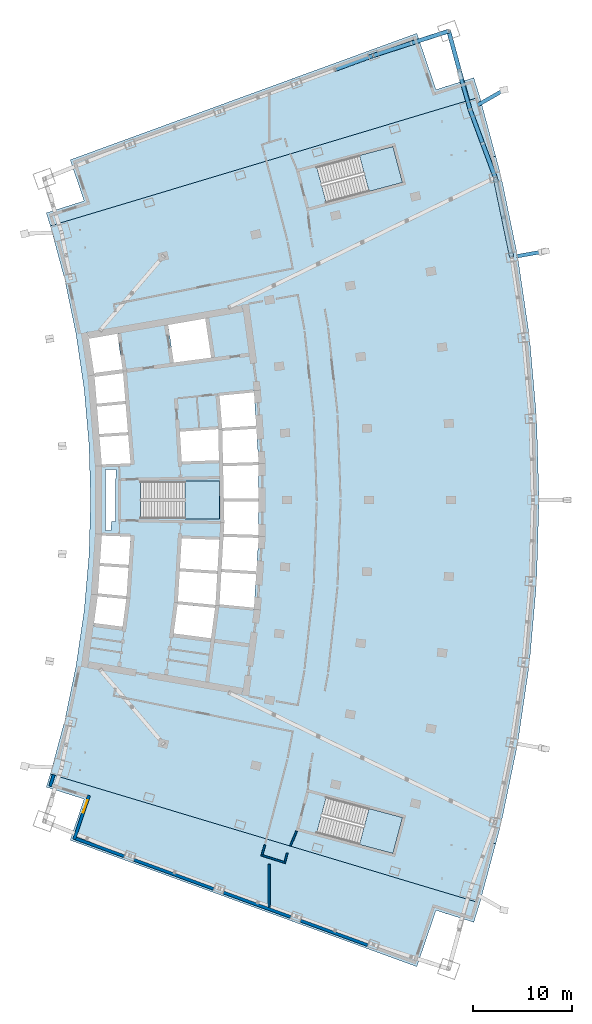
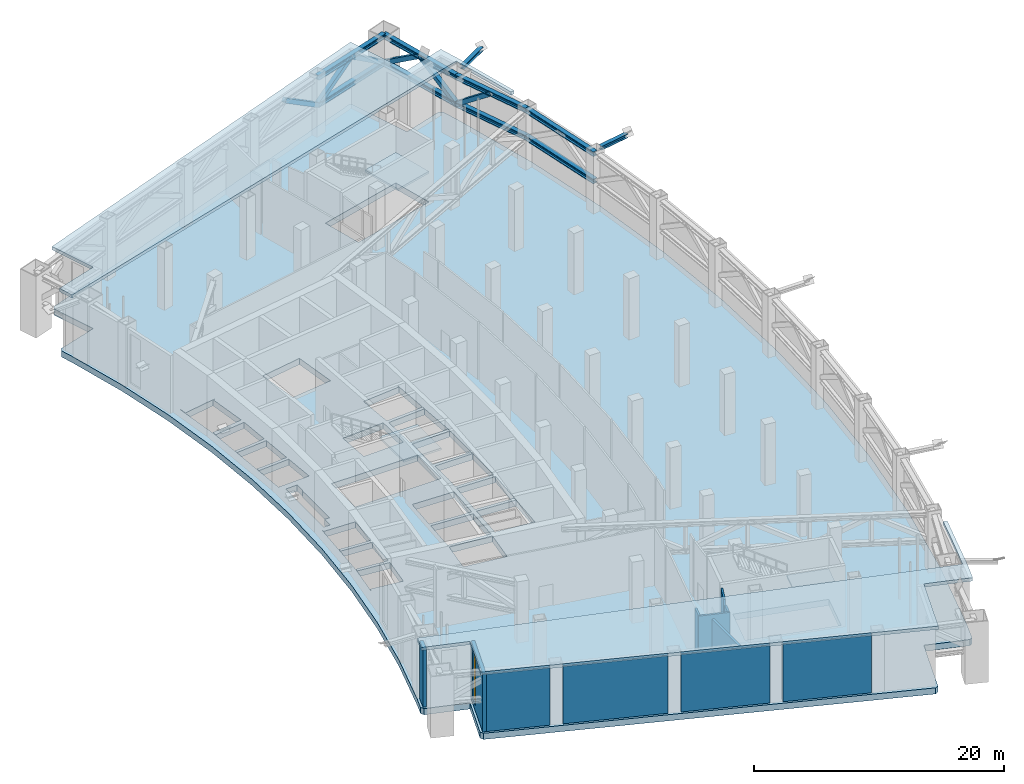
# One storey, part 15 of 26: 17 members, 11 walls, 6 slabs, 1 window, 1 opening, 3 elements without a shape of their own.
"""IFC4 building model written with IfcOpenShell, lengths in metres."""

from ifc_helpers import new_model, si_unit, direction, frame, frame_2d, origin, origin_2d, place, context, subcontext, project, spatial, polyline, rectangle, hollow_rectangle, i_section, outline, extrude, material, layer, layer_set, material_profile, profile_set, type_object, element, fill, aggregate, save


model = new_model("IFC4")

# Units and contexts
model_context = context("Model", 3, precision=1e-05, world=origin(), true_north=direction((0.0, 1.0)))
body_context = subcontext(model_context, "Body", "Model", "MODEL_VIEW")
ifc_project = project(units=[si_unit("LENGTHUNIT", "METRE"), si_unit("AREAUNIT", "SQUARE_METRE"), si_unit("VOLUMEUNIT", "CUBIC_METRE"), si_unit("PLANEANGLEUNIT", "RADIAN"), si_unit("MASSUNIT", "GRAM", prefix="KILO")], contexts=[model_context])

# Site, building, storey
site_placement = place(None, origin())
site = spatial("IfcSite", under=ifc_project, at=site_placement, CompositionType="ELEMENT")
building_placement = place(site_placement, origin())
building = spatial("IfcBuilding", under=site, at=building_placement, Name="Alderwake Tower", CompositionType="ELEMENT")
storey_placement = place(building_placement, frame((0.0, 0.0, 132.800048828125)))
storey = spatial("IfcBuildingStorey", under=building, at=storey_placement, Name="L32", CompositionType="ELEMENT", Elevation=132.800048828125)

# Members
ifc_material_1 = material(Name="Steel ASTM A992 Grade 50", Category="steel")
ifc_material_profile_1 = material_profile(ifc_material_1, i_section(OverallWidth=0.42138671875, OverallDepth=0.464599609375, WebThickness=0.044921875, FlangeThickness=0.072265625, at=origin_2d()), Name="W14X398")
ifc_profile_set_1 = profile_set([ifc_material_profile_1], Name="Steel ASTM A992 Grade 50")
member_type_1 = type_object("IfcMemberType", Name="Belt truss chord W14X398", PredefinedType="CHORD", material=ifc_profile_set_1)
for number, where, z_axis, x_axis, name in (
    (1, (58.45263671875, 85.4794921875, 5.44775390625), (-0.202770003411, 0.979226391452, 0.0), (-0.979226391452, -0.202770003411, 0.0), "Belt truss chord BT32F10.T"),
    (2, (58.45263671875, 85.4794921875, 2.7822265625), (-0.202770003411, 0.979226391452, 0.0), (-0.979226391452, -0.202770003411, 0.0), "Belt truss chord BT32F10.B"),
):
    element("IfcMember", number, at=place(storey_placement, frame(where, z_axis=z_axis, x_axis=x_axis)), inside=storey, type_object=member_type_1, Name=name, PredefinedType="CHORD", context=body_context, shape_type="SweptSolid", body=[
        extrude(i_section(OverallWidth=0.42138671875, OverallDepth=0.464599609375, WebThickness=0.044921875, FlangeThickness=0.072265625, at=origin_2d()), origin(), (0.0, 0.0, 1.0), 8.20068359375),
    ])
for number, where, z_axis, x_axis, name in (
    (3, (56.789794921875, 93.509765625, 5.44775390625), (-0.347697021116, 0.937606944038, 0.0), (-0.937606944038, -0.347697021116, 0.0), "Belt truss chord BT32F11.T"),
    (4, (56.789794921875, 93.509765625, 2.7822265625), (-0.347697021116, 0.937606944038, 0.0), (-0.937606944038, -0.347697021116, 0.0), "Belt truss chord BT32F11.B"),
):
    element("IfcMember", number, at=place(storey_placement, frame(where, z_axis=z_axis, x_axis=x_axis)), inside=storey, type_object=member_type_1, Name=name, PredefinedType="CHORD", context=body_context, shape_type="SweptSolid", body=[
        extrude(i_section(OverallWidth=0.42138671875, OverallDepth=0.464599609375, WebThickness=0.044921875, FlangeThickness=0.072265625, at=origin_2d()), origin(), (0.0, 0.0, 1.0), 7.313720703125),
    ])
for number, where, z_axis, x_axis, name in (
    (5, (54.246826171875, 100.3671875, 5.44775390625), (-0.262440820663, 0.964948089614, 0.0), (-0.964948089614, -0.262440820663, 0.0), "Belt truss chord BT32F12.T"),
    (6, (54.246826171875, 100.3671875, 2.7822265625), (-0.262440820663, 0.964948089614, 0.0), (-0.964948089614, -0.262440820663, 0.0), "Belt truss chord BT32F12.B"),
):
    element("IfcMember", number, at=place(storey_placement, frame(where, z_axis=z_axis, x_axis=x_axis)), inside=storey, type_object=member_type_1, Name=name, PredefinedType="CHORD", context=body_context, shape_type="SweptSolid", body=[
        extrude(i_section(OverallWidth=0.42138671875, OverallDepth=0.464599609375, WebThickness=0.044921875, FlangeThickness=0.072265625, at=origin_2d()), origin(), (0.0, 0.0, 1.0), 8.18359375),
    ])
for number, where, z_axis, x_axis, name in (
    (7, (44.514892578125, 105.812744140625, 5.44775390625), (0.951538141155, 0.307530756066, 0.0), (-0.307530756066, 0.951538141155, 0.0), "Belt truss chord BT32E134.T"),
    (8, (44.514892578125, 105.812744140625, 2.7822265625), (0.951538141155, 0.307530756066, 0.0), (-0.307530756066, 0.951538141155, 0.0), "Belt truss chord BT32E134.B"),
):
    element("IfcMember", number, at=place(storey_placement, frame(where, z_axis=z_axis, x_axis=x_axis)), inside=storey, type_object=member_type_1, Name=name, PredefinedType="CHORD", context=body_context, shape_type="SweptSolid", body=[
        extrude(i_section(OverallWidth=0.42138671875, OverallDepth=0.464599609375, WebThickness=0.044921875, FlangeThickness=0.072265625, at=origin_2d()), origin(), (0.0, 0.0, 1.0), 7.970458984375),
    ])
ifc_material_2 = material(Name="Steel ASTM A500 Grade C", Category="steel")
ifc_material_profile_2 = material_profile(ifc_material_2, hollow_rectangle(XDim=0.406494140625, YDim=0.406494140625, WallThickness=0.014892578125, at=origin_2d()), Name="HSS16X16X5/8")
ifc_profile_set_2 = profile_set([ifc_material_profile_2], Name="Steel ASTM A500 Grade C")
member_type_2 = type_object("IfcMemberType", Name="Belt truss diagonal HSS16X16X5/8", PredefinedType="BRACE", material=ifc_profile_set_2)
member_1_placement = place(storey_placement, frame((54.246826171875, 100.3671875, 2.7822265625), z_axis=(0.280976324138, -0.757686539207, 0.589036003636), x_axis=(0.937606944038, 0.347697021116, 0.0)))
element("IfcMember", 9, at=member_1_placement, inside=storey, type_object=member_type_2, Name="Belt truss diagonal BT32F11.D2", PredefinedType="BRACE", context=body_context, shape_type="SweptSolid", body=[
    extrude(hollow_rectangle(XDim=0.406494140625, YDim=0.406494140625, WallThickness=0.014892578125, at=origin_2d()), origin(), (0.0, 0.0, 1.0), 4.525146484375),
])
member_2_placement = place(storey_placement, frame((54.246826171875, 100.3671875, 2.7822265625), z_axis=(-0.219869479562, 0.808537765566, 0.545824233256), x_axis=(-0.964957698478, -0.26240548803, 0.0)))
element("IfcMember", 10, at=member_2_placement, inside=storey, type_object=member_type_2, Name="Belt truss diagonal BT32F12.D1", PredefinedType="BRACE", context=body_context, shape_type="SweptSolid", body=[
    extrude(hollow_rectangle(XDim=0.406494140625, YDim=0.406494140625, WallThickness=0.014892578125, at=origin_2d()), origin(), (0.0, 0.0, 1.0), 4.883544921875),
])
member_3_placement = place(storey_placement, frame((52.09912109375, 108.263916015625, 2.7822265625), z_axis=(0.219925944441, -0.808511564788, 0.545840295842), x_axis=(0.964938479054, 0.262476154425, 0.0)))
element("IfcMember", 11, at=member_3_placement, inside=storey, type_object=member_type_2, Name="Belt truss diagonal BT32F12.D2", PredefinedType="BRACE", context=body_context, shape_type="SweptSolid", body=[
    extrude(hollow_rectangle(XDim=0.406494140625, YDim=0.406494140625, WallThickness=0.014892578125, at=origin_2d()), origin(), (0.0, 0.0, 1.0), 4.88330078125),
])
member_4_placement = place(storey_placement, frame((44.514892578125, 105.812744140625, 2.7822265625), z_axis=(-0.789459819991, -0.28815481986, 0.541959401073), x_axis=(0.342876271999, -0.939380573623, 0.0)))
element("IfcMember", 12, at=member_4_placement, inside=storey, type_object=member_type_2, Name="Belt truss diagonal BT32E133.D2", PredefinedType="BRACE", context=body_context, shape_type="SweptSolid", body=[
    extrude(hollow_rectangle(XDim=0.406494140625, YDim=0.406494140625, WallThickness=0.014892578125, at=origin_2d()), origin(), (0.0, 0.0, 1.0), 4.918212890625),
])
member_5_placement = place(storey_placement, frame((44.514892578125, 105.812744140625, 2.7822265625), z_axis=(0.790920592399, 0.255628468571, 0.555966458139), x_axis=(-0.307539719648, 0.951535244139, 0.0)))
element("IfcMember", 13, at=member_5_placement, inside=storey, type_object=member_type_2, Name="Belt truss diagonal BT32E134.D1", PredefinedType="BRACE", context=body_context, shape_type="SweptSolid", body=[
    extrude(hollow_rectangle(XDim=0.406494140625, YDim=0.406494140625, WallThickness=0.014892578125, at=origin_2d()), origin(), (0.0, 0.0, 1.0), 4.79443359375),
])
member_6_placement = place(storey_placement, frame((52.09912109375, 108.263916015625, 2.7822265625), z_axis=(-0.790939658718, -0.255618173358, 0.555944067075), x_axis=(0.307521792979, -0.951541037918, 0.0)))
element("IfcMember", 14, at=member_6_placement, inside=storey, type_object=member_type_2, Name="Belt truss diagonal BT32E134.D2", PredefinedType="BRACE", context=body_context, shape_type="SweptSolid", body=[
    extrude(hollow_rectangle(XDim=0.406494140625, YDim=0.406494140625, WallThickness=0.014892578125, at=origin_2d()), origin(), (0.0, 0.0, 1.0), 4.794677734375),
])
ifc_material_3 = material(Name="Steel ASTM A992 Grade 50", Category="steel")
ifc_material_profile_3 = material_profile(ifc_material_3, i_section(OverallWidth=0.3740234375, OverallDepth=0.372314453125, WebThickness=0.016357421875, FlangeThickness=0.026123046875, at=origin_2d()), Name="W14X132")
ifc_profile_set_3 = profile_set([ifc_material_profile_3], Name="Steel ASTM A992 Grade 50")
member_type_3 = type_object("IfcMemberType", Name="Brace node stub W14X132", PredefinedType="MEMBER", material=ifc_profile_set_3)
member_7_placement = place(storey_placement, frame((58.969482421875, 85.571044921875, 5.793701171875), z_axis=(0.984732838486, 0.174072504453, 0.0), x_axis=(-0.174072504453, 0.984732838486, 0.0)))
element("IfcMember", 15, at=member_7_placement, inside=storey, type_object=member_type_3, Name="Brace node stub BS.FR10-C5.1388", PredefinedType="MEMBER", context=body_context, shape_type="SweptSolid", body=[
    extrude(i_section(OverallWidth=0.3740234375, OverallDepth=0.372314453125, WebThickness=0.016357421875, FlangeThickness=0.026123046875, at=origin_2d()), origin(), (0.0, 0.0, 1.0), 2.764404296875),
])
member_8_placement = place(storey_placement, frame((55.00634765625, 100.80322265625, 5.793701171875), z_axis=(0.867179336422, 0.497995982396, 0.0), x_axis=(-0.497995982396, 0.867179336422, 0.0)))
element("IfcMember", 16, at=member_8_placement, inside=storey, type_object=member_type_3, Name="Brace node stub BS.FR12-C5.1388", PredefinedType="MEMBER", context=body_context, shape_type="SweptSolid", body=[
    extrude(i_section(OverallWidth=0.3740234375, OverallDepth=0.372314453125, WebThickness=0.016357421875, FlangeThickness=0.026123046875, at=origin_2d()), origin(), (0.0, 0.0, 1.0), 3.0703125),
])
member_9_placement = place(storey_placement, frame((54.03173828125, 101.085693359375, 5.34375), z_axis=(-0.286734415294, 0.958010112205, 0.0), x_axis=(-0.958010112205, -0.286734415294, 0.0)))
element("IfcMember", 17, at=member_9_placement, inside=storey, type_object=member_type_3, Name="Brace node stub BS.NR12-C5.1388", PredefinedType="MEMBER", context=body_context, shape_type="SweptSolid", body=[
    extrude(i_section(OverallWidth=0.3740234375, OverallDepth=0.372314453125, WebThickness=0.016357421875, FlangeThickness=0.026123046875, at=origin_2d()), origin(), (0.0, 0.0, 1.0), 2.84814453125),
])

# Slabs
ifc_material_4 = material(Name="Concrete C50/60", Category="concrete")
ifc_layer_1 = layer(ifc_material_4, 0.60009765625)
ifc_layer_set_1 = layer_set([ifc_layer_1], Name="Concrete C50/60 post-tensioned flat plate 600")
slab_type_1 = type_object("IfcSlabType", Name="Concrete C50/60 post-tensioned flat plate 600", PredefinedType="FLOOR", material=ifc_layer_set_1)
slab_1_placement = place(storey_placement, frame((0.0, 0.0, -0.60009765625)))
element("IfcSlab", 18, at=slab_1_placement, inside=storey, type_object=slab_type_1, Name="Floor slab L32", PredefinedType="FLOOR", context=body_context, shape_type="SweptSolid", body=[
    extrude(outline(polyline([(11.75244140625, 31.988037109375), (11.600830078125, 32.277099609375), (11.945556640625, 33.395263671875), (13.3984375, 38.802734375), (14.53369140625, 44.28564453125), (15.347412109375, 49.825439453125), (15.836669921875, 55.4033203125), (16.0, 61.0), (15.836669921875, 66.5966796875), (15.347412109375, 72.174560546875), (14.53369140625, 77.71435546875), (13.3984375, 83.197265625), (11.945556640625, 88.604736328125), (11.600830078125, 89.722900390625), (11.75244140625, 90.011962890625), (15.34716796875, 91.1484375), (14.011474609375, 95.072021484375), (14.1533203125, 95.36865234375), (48.665771484375, 107.966796875), (48.9560546875, 107.827880859375), (50.816162109375, 102.36376953125), (54.410888671875, 103.50048828125), (54.69775390625, 103.349853515625), (55.236572265625, 101.601806640625), (57.37353515625, 93.6484375), (59.04345703125, 85.583984375), (60.239990234375, 77.43603515625), (60.959716796875, 69.23193359375), (61.199951171875, 61.0), (60.959716796875, 52.76806640625), (60.239990234375, 44.56396484375), (59.04345703125, 36.416015625), (57.37353515625, 28.3515625), (55.236572265625, 20.398193359375), (54.69775390625, 18.650146484375), (54.410888671875, 18.49951171875), (50.816162109375, 19.63623046875), (48.9560546875, 14.172119140625), (48.665771484375, 14.033203125), (14.1533203125, 26.63134765625), (14.011474609375, 26.927978515625), (15.34716796875, 30.8515625), (11.75244140625, 31.988037109375)]), holes=[polyline([(24.77490234375, 50.49560546875), (24.779541015625, 50.541015625), (24.77587890625, 50.54150390625), (24.37451171875, 47.55029296875), (28.13720703125, 47.05810546875), (28.547607421875, 50.122802734375), (24.77490234375, 50.49560546875)]), polyline([(16.744140625, 51.289306640625), (16.759033203125, 51.438720703125), (16.773681640625, 51.587890625), (19.624755859375, 51.30615234375), (19.81591796875, 54.157958984375), (16.9541015625, 54.349853515625), (16.964111328125, 54.49951171875), (16.97412109375, 54.649169921875), (19.8359375, 54.457275390625), (20.027099609375, 57.30908203125), (17.1640625, 57.41064453125), (17.169189453125, 57.560546875), (17.139404296875, 57.5615234375), (16.93408203125, 54.50146484375), (16.72900390625, 51.44140625), (16.31103515625, 48.4033203125), (16.3408203125, 48.3994140625), (16.36669921875, 48.59765625), (19.2216796875, 48.22412109375), (19.5947265625, 51.007568359375), (16.744140625, 51.289306640625)]), polyline([(24.981201171875, 53.811767578125), (24.79541015625, 50.740234375), (24.799072265625, 50.739990234375), (24.804443359375, 50.794189453125), (28.583984375, 50.4208984375), (28.769775390625, 53.5576171875), (24.981201171875, 53.811767578125)]), polyline([(29.0, 62.875), (21.050048828125, 62.875), (21.050048828125, 59.125), (29.0, 59.125), (29.0, 62.875)]), polyline([(19.78857421875, 67.53955078125), (16.926025390625, 67.34765625), (16.916015625, 67.497314453125), (16.906005859375, 67.64697265625), (19.763671875, 67.83837890625), (19.52783203125, 70.684326171875), (16.677490234375, 70.402587890625), (16.662841796875, 70.552001953125), (16.648193359375, 70.701171875), (19.5029296875, 70.9833984375), (19.27099609375, 73.7822265625), (16.435302734375, 73.411376953125), (16.4091796875, 73.609619140625), (16.38330078125, 73.80810546875), (19.224853515625, 74.1796875), (18.689697265625, 77.74365234375), (18.885986328125, 77.773193359375), (18.8837890625, 77.787109375), (15.854248046875, 77.261962890625), (15.739013671875, 77.927490234375), (15.5361328125, 77.8916015625), (15.536865234375, 77.887939453125), (15.716796875, 77.91552734375), (16.379150390625, 73.605712890625), (16.3798828125, 73.601318359375), (16.6328125, 70.549072265625), (16.885986328125, 67.495361328125), (17.139404296875, 64.440673828125), (17.139404296875, 64.4384765625), (17.16943359375, 64.439453125), (17.1640625, 64.58935546875), (20.024658203125, 64.690673828125), (19.78857421875, 67.53955078125)]), polyline([(28.152587890625, 75.347412109375), (27.555419921875, 79.29052734375), (23.811767578125, 78.6416015625), (24.384033203125, 74.8583984375), (24.373291015625, 74.856689453125), (24.373779296875, 74.85302734375), (28.152587890625, 75.347412109375)]), polyline([(47.436279296875, 28.996826171875), (39.754150390625, 31.043212890625), (38.7890625, 27.41943359375), (46.47119140625, 25.373291015625), (47.436279296875, 28.996826171875)]), polyline([(29.181396484375, 53.739990234375), (28.9853515625, 50.430908203125), (28.989013671875, 50.430419921875), (28.994140625, 50.485595703125), (32.447509765625, 50.147705078125), (32.432861328125, 49.998291015625), (32.462646484375, 49.995361328125), (32.701416015625, 53.660888671875), (32.940185546875, 57.32666015625), (32.940185546875, 61.0), (32.940185546875, 64.67333984375), (32.701416015625, 68.339111328125), (32.462646484375, 72.004638671875), (32.432861328125, 72.001708984375), (32.447509765625, 71.852294921875), (28.993896484375, 71.514404296875), (29.256591796875, 68.264892578125), (32.66162109375, 68.48681640625), (32.67138671875, 68.337158203125), (32.68115234375, 68.1875), (29.278564453125, 67.9658203125), (29.274169921875, 68.032470703125), (29.2705078125, 68.0322265625), (29.34423828125, 64.70654296875), (32.9052734375, 64.822265625), (32.91015625, 64.67236328125), (32.9150390625, 64.5224609375), (29.350830078125, 64.406494140625), (29.4228515625, 61.14990234375), (32.91015625, 61.14990234375), (32.91015625, 61.0), (32.91015625, 60.85009765625), (29.429443359375, 60.85009765625), (29.4765625, 58.72314453125), (29.409423828125, 57.591552734375), (32.9150390625, 57.4775390625), (32.91015625, 57.32763671875), (32.9052734375, 57.177734375), (29.395751953125, 57.291748046875), (29.39599609375, 57.3017578125), (29.392333984375, 57.302001953125), (29.198974609375, 54.039306640625), (32.68115234375, 53.8125), (32.67138671875, 53.662841796875), (32.66162109375, 53.51318359375), (29.181396484375, 53.739990234375)]), polyline([(28.78759765625, 53.857177734375), (28.973388671875, 56.992431640625), (25.181396484375, 57.126708984375), (24.999267578125, 54.111083984375), (28.78759765625, 53.857177734375)]), polyline([(28.869140625, 68.09228515625), (28.86474609375, 68.14794921875), (25.00146484375, 67.888916015625), (25.18212890625, 64.873291015625), (28.9375, 65.006103515625), (28.869140625, 68.09228515625)]), polyline([(47.436279296875, 93.003173828125), (46.47119140625, 96.626708984375), (38.7890625, 94.58056640625), (39.754150390625, 90.956787109375), (47.436279296875, 93.003173828125)]), polyline([(18.588623046875, 63.233642578125), (18.565185546875, 64.088623046875), (17.489501953125, 64.050537109375), (17.4892578125, 57.949462890625), (18.065673828125, 57.928955078125), (18.090576171875, 58.84326171875), (18.544189453125, 58.8310546875), (18.529296875, 58.8681640625), (18.5234375, 58.89208984375), (18.5185546875, 58.94091796875), (18.5185546875, 63.060302734375), (18.519775390625, 63.084716796875), (18.529296875, 63.1328125), (18.548095703125, 63.177978515625), (18.5751953125, 63.218994140625), (18.588623046875, 63.233642578125)])]), origin(), (0.0, 0.0, 1.0), 0.60009765625),
])
ifc_material_5 = material(Name="Concrete C50/60", Category="concrete")
ifc_layer_2 = layer(ifc_material_5, 0.320068359375)
ifc_layer_set_2 = layer_set([ifc_layer_2], Name="Concrete C50/60 roof slab 320")
slab_type_2 = type_object("IfcSlabType", Name="Concrete C50/60 roof slab 320", PredefinedType="ROOF", material=ifc_layer_set_2)
slab_2_placement = place(storey_placement, frame((0.0, 0.0, 5.679931640625)))
element("IfcSlab", 19, at=slab_2_placement, inside=storey, type_object=slab_type_2, Name="Roof slab L32 1", PredefinedType="ROOF", context=body_context, shape_type="SweptSolid", body=[
    extrude(outline(polyline([(55.236572265625, 20.398193359375), (54.630126953125, 18.430419921875), (50.816162109375, 19.63623046875), (48.8818359375, 13.954345703125), (13.937255859375, 26.710205078125), (15.34716796875, 30.8515625), (11.533203125, 32.057373046875), (11.939697265625, 33.376220703125), (11.939697265625, 33.376220703125), (15.770751953125, 32.225830078125), (51.0166015625, 21.64404296875), (54.84765625, 20.493896484375), (54.849609375, 20.493408203125), (54.8515625, 20.4931640625), (54.853515625, 20.4931640625), (54.85546875, 20.4931640625), (54.857421875, 20.493408203125), (54.859375, 20.493896484375), (54.861083984375, 20.49462890625), (54.86279296875, 20.49560546875), (54.864501953125, 20.49658203125), (54.8662109375, 20.497802734375), (54.86767578125, 20.4990234375), (54.868896484375, 20.50048828125), (54.8701171875, 20.502197265625), (54.87109375, 20.50390625), (54.8720703125, 20.505615234375), (54.87255859375, 20.507568359375), (55.44873046875, 22.478515625), (55.44873046875, 22.478759765625), (55.99609375, 24.457763671875), (55.99609375, 24.4580078125), (56.509521484375, 26.425537109375), (56.833984375, 26.343505859375), (55.236572265625, 20.398193359375)])), origin(), (0.0, 0.0, 1.0), 0.320068359375),
])
slab_3_placement = place(storey_placement, frame((0.0, 0.0, 5.679931640625)))
element("IfcSlab", 20, at=slab_3_placement, inside=storey, type_object=slab_type_2, Name="Roof slab L32 2", PredefinedType="ROOF", context=body_context, shape_type="SweptSolid", body=[
    extrude(outline(polyline([(11.533203125, 89.942626953125), (15.34716796875, 91.1484375), (13.937255859375, 95.289794921875), (48.8818359375, 108.045654296875), (50.816162109375, 102.36376953125), (54.630126953125, 103.569580078125), (55.236572265625, 101.601806640625), (56.833984375, 95.656494140625), (56.509521484375, 95.574462890625), (55.99609375, 97.5419921875), (55.99609375, 97.542236328125), (55.44873046875, 99.521240234375), (55.44873046875, 99.521484375), (54.87255859375, 101.492431640625), (54.8720703125, 101.494384765625), (54.87109375, 101.49609375), (54.8701171875, 101.497802734375), (54.868896484375, 101.49951171875), (54.86767578125, 101.5009765625), (54.8662109375, 101.502197265625), (54.864501953125, 101.50341796875), (54.86279296875, 101.50439453125), (54.861083984375, 101.50537109375), (54.859375, 101.506103515625), (54.857421875, 101.506591796875), (54.85546875, 101.5068359375), (54.853515625, 101.5068359375), (54.8515625, 101.5068359375), (54.849609375, 101.506591796875), (54.84765625, 101.506103515625), (51.0166015625, 100.35595703125), (15.770751953125, 89.774169921875), (11.939697265625, 88.623779296875), (11.939697265625, 88.623779296875), (11.533203125, 89.942626953125)])), origin(), (0.0, 0.0, 1.0), 0.320068359375),
])

# Stair, slab
ifc_material_6 = material(Name="Concrete C40/50", Category="concrete")
stair_type = type_object("IfcStairType", Name="Core exit stair", PredefinedType="HALF_TURN_STAIR", material=ifc_material_6)
stair_1_placement = place(storey_placement, origin())
stair_1 = element("IfcStair", 21, at=stair_1_placement, inside=storey, type_object=stair_type, Name="L32 Exit Stair B", PredefinedType="HALF_TURN_STAIR")
ifc_material_7 = material(Name="Concrete C40/50", Category="concrete")
ifc_layer_3 = layer(ifc_material_7, 0.199951171875)
ifc_layer_set_3 = layer_set([ifc_layer_3], Name="Core stair landing 200")
slab_type_3 = type_object("IfcSlabType", Name="Core stair landing 200", PredefinedType="LANDING", material=ifc_layer_set_3)
slab_4_placement = place(storey_placement, frame((0.0, 0.0, 2.800048828125)))
slab_4 = element("IfcSlab", 22, at=slab_4_placement, type_object=slab_type_3, Name="ST-B landing 1", PredefinedType="LANDING", context=body_context, shape_type="SweptSolid", body=[
    extrude(outline(polyline([(25.510009765625, 59.074951171875), (29.0, 59.074951171875), (29.0, 62.925048828125), (25.510009765625, 62.925048828125), (25.510009765625, 59.074951171875)])), origin(), (0.0, 0.0, 1.0), 0.199951171875),
])
aggregate(stair_1, [slab_4])

stair_2_placement = place(storey_placement, origin())
stair_2 = element("IfcStair", 23, at=stair_2_placement, inside=storey, type_object=stair_type, Name="L32 Exit Stair A", PredefinedType="HALF_TURN_STAIR")
slab_5_placement = place(storey_placement, frame((0.0, 0.0, 2.800048828125)))
slab_5 = element("IfcSlab", 24, at=slab_5_placement, type_object=slab_type_3, Name="ST-A landing 1", PredefinedType="LANDING", context=body_context, shape_type="SweptSolid", body=[
    extrude(outline(polyline([(44.06396484375, 92.104736328125), (47.436279296875, 93.003173828125), (46.47119140625, 96.626708984375), (43.098876953125, 95.728515625), (44.06396484375, 92.104736328125)])), origin(), (0.0, 0.0, 1.0), 0.199951171875),
])
aggregate(stair_2, [slab_5])

stair_3_placement = place(storey_placement, origin())
stair_3 = element("IfcStair", 25, at=stair_3_placement, inside=storey, type_object=stair_type, Name="L32 Exit Stair C", PredefinedType="HALF_TURN_STAIR")
slab_6_placement = place(storey_placement, frame((0.0, 0.0, 2.800048828125)))
slab_6 = element("IfcSlab", 26, at=slab_6_placement, type_object=slab_type_3, Name="ST-C landing 1", PredefinedType="LANDING", context=body_context, shape_type="SweptSolid", body=[
    extrude(outline(polyline([(43.098876953125, 26.271484375), (46.47119140625, 25.373291015625), (47.436279296875, 28.996826171875), (44.06396484375, 29.895263671875), (43.098876953125, 26.271484375)])), origin(), (0.0, 0.0, 1.0), 0.199951171875),
])
aggregate(stair_3, [slab_6])

# Walls
ifc_material_8 = material(Name="Gypsum board on metal studs, rated")
ifc_layer_4 = layer(ifc_material_8, 0.159912109375)
ifc_layer_set_4 = layer_set([ifc_layer_4], Name="Corridor wall 160")
wall_type_1 = type_object("IfcWallType", Name="Corridor wall 160", PredefinedType="PARTITIONING", material=ifc_layer_set_4)
wall_1_placement = place(storey_placement, frame((33.19677734375, 25.209228515625, 0.0), z_axis=(0.0, 0.0, 1.0), x_axis=(0.95319580108, -0.302353708103, 0.0)))
element("IfcWall", 27, at=wall_1_placement, inside=storey, type_object=wall_type_1, Name="WL/L32/W08", PredefinedType="PARTITIONING", context=body_context, shape_type="SweptSolid", body=[
    extrude(rectangle(XDim=2.561279296875, YDim=0.159912109375, at=frame_2d((1.28076171875, 0.0))), origin(), (0.0, 0.0, 1.0), 5.679931640625),
])
wall_2_placement = place(storey_placement, frame((33.561279296875, 26.231201171875, 0.0), z_axis=(0.0, 0.0, 1.0), x_axis=(-0.265726624883, -0.96404842245, 0.0)))
element("IfcWall", 28, at=wall_2_placement, inside=storey, type_object=wall_type_1, Name="WL/L32/W10", PredefinedType="PARTITIONING", context=body_context, shape_type="SweptSolid", body=[
    extrude(rectangle(XDim=1.005126953125, YDim=0.159912109375, at=frame_2d((0.50244140625, 0.0))), origin(), (0.0, 0.0, 1.0), 5.679931640625),
])
wall_3_placement = place(storey_placement, frame((35.583251953125, 24.5361328125, 0.0), z_axis=(0.0, 0.0, 1.0), x_axis=(0.266342085738, 0.963878567748, 0.0)))
element("IfcWall", 29, at=wall_3_placement, inside=storey, type_object=wall_type_1, Name="WL/L32/W12", PredefinedType="PARTITIONING", context=body_context, shape_type="SweptSolid", body=[
    extrude(rectangle(XDim=0.89013671875, YDim=0.159912109375, at=frame_2d((0.445068359375, 0.0))), origin(), (0.0, 0.0, 1.0), 5.679931640625),
])
wall_4_placement = place(storey_placement, frame((36.132568359375, 26.116943359375, 0.0), z_axis=(0.0, 0.0, 1.0), x_axis=(0.384804611346, 0.922998055841, 0.0)))
element("IfcWall", 30, at=wall_4_placement, inside=storey, type_object=wall_type_1, Name="WL/L32/W16", PredefinedType="PARTITIONING", context=body_context, shape_type="SweptSolid", body=[
    extrude(rectangle(XDim=1.64892578125, YDim=0.159912109375, at=frame_2d((0.824462890625, 0.0))), origin(), (0.0, 0.0, 1.0), 5.679931640625),
])
ifc_material_9 = material(Name="Bronze metal cladding on lightweight framing")
ifc_layer_5 = layer(ifc_material_9, 0.300048828125)
ifc_layer_set_5 = layer_set([ifc_layer_5], Name="External wall EW3 plant enclosure")
wall_type_2 = type_object("IfcWallType", Name="External wall EW3 plant enclosure", PredefinedType="SOLIDWALL", material=ifc_layer_set_5)
wall_5_placement = place(storey_placement, frame((12.28076171875, 33.294189453125, 0.0), z_axis=(0.0, 0.0, 1.0), x_axis=(-0.294683945208, -0.955594774178, 0.0)))
element("IfcWall", 31, at=wall_5_placement, inside=storey, type_object=wall_type_2, Name="External wall 1", PredefinedType="SOLIDWALL", context=body_context, shape_type="SweptSolid", body=[
    extrude(rectangle(XDim=1.20458984375, YDim=0.300048828125, at=frame_2d((0.602294921875, 0.0))), origin(), (0.0, 0.0, 1.0), 5.679931640625),
])

# Wall, opening, window
wall_6_placement = place(storey_placement, frame((15.83740234375, 31.220703125, 0.0), z_axis=(0.0, 0.0, 1.0), x_axis=(-0.32041006121, -0.947278941324, 0.0)))
wall_6 = element("IfcWall", 32, at=wall_6_placement, inside=storey, type_object=wall_type_2, Name="External wall 3", PredefinedType="SOLIDWALL", context=body_context, shape_type="SweptSolid", body=[
    extrude(rectangle(XDim=4.68994140625, YDim=0.300048828125, at=frame_2d((2.344970703125, 0.0))), origin(), (0.0, 0.0, 1.0), 5.679931640625),
])
opening_placement = place(wall_6_placement, frame((0.5224609375, 0.0, 0.5)))
opening = element("IfcOpeningElement", 33, at=opening_placement, cuts=wall_6, Name="Opening LV1", PredefinedType="OPENING", context=body_context, shape_type="SweptSolid", body=[
    extrude(rectangle(XDim=1.300048828125, YDim=4.800048828125, at=frame_2d((0.64990234375, 2.39990234375))), frame((0.0, 0.159912109375, 0.0), z_axis=(0.0, -1.0, 0.0), x_axis=(1.0, 0.0, 0.0)), (0.0, 0.0, 1.0), 0.320068359375),
])
ifc_material_10 = material(Name="Bronze anodised aluminium louvre", Category="aluminium")
window_type = type_object("IfcWindowType", Name="Louvre LV1 plant floor", PartitioningType="SINGLE_PANEL", PredefinedType="USERDEFINED", material=ifc_material_10)
window_placement = place(opening_placement, origin())
window = element("IfcWindow", 34, at=window_placement, inside=storey, type_object=window_type, Name="Louvre LV1 plant floor", ObjectType="LOUVRE", OverallHeight=4.800048828125, OverallWidth=1.300048828125, PartitioningType="SINGLE_PANEL", PredefinedType="USERDEFINED", context=body_context, shape_type="SweptSolid", body=[
    extrude(rectangle(XDim=1.300048828125, YDim=4.800048828125, at=frame_2d((0.64990234375, 2.39990234375))), frame((0.0, 0.030029296875, 0.0), z_axis=(0.0, -1.0, 0.0), x_axis=(1.0, 0.0, 0.0)), (0.0, 0.0, 1.0), 0.06005859375),
])
fill(opening, window)

# Walls
wall_7_placement = place(storey_placement, frame((14.523681640625, 26.86865234375, 0.0), z_axis=(0.0, 0.0, 1.0), x_axis=(0.939378067131, -0.342883138974, 0.0)))
element("IfcWall", 35, at=wall_7_placement, inside=storey, type_object=wall_type_2, Name="External wall 4", PredefinedType="SOLIDWALL", context=body_context, shape_type="SweptSolid", body=[
    extrude(rectangle(XDim=5.17431640625, YDim=0.300048828125, at=frame_2d((2.587158203125, 0.0))), origin(), (0.0, 0.0, 1.0), 5.679931640625),
])
wall_8_placement = place(storey_placement, frame((20.375244140625, 24.73291015625, 0.0), z_axis=(0.0, 0.0, 1.0), x_axis=(0.939364770023, -0.342919566137, 0.0)))
element("IfcWall", 36, at=wall_8_placement, inside=storey, type_object=wall_type_2, Name="External wall 5", PredefinedType="SOLIDWALL", context=body_context, shape_type="SweptSolid", body=[
    extrude(rectangle(XDim=8.54541015625, YDim=0.300048828125, at=frame_2d((4.272705078125, 0.0))), origin(), (0.0, 0.0, 1.0), 5.679931640625),
])
for number, where, z_axis, x_axis, name in (
    (37, (29.39306640625, 21.44091796875, 0.0), (0.0, 0.0, 1.0), (0.939375665231, -0.342889719256, 0.0), "External wall 6"),
    (38, (37.15869140625, 18.6064453125, 0.0), (0.0, 0.0, 1.0), (0.939364762064, -0.342919587939, 0.0), "External wall 7"),
):
    element("IfcWall", number, at=place(storey_placement, frame(where, z_axis=z_axis, x_axis=x_axis)), inside=storey, type_object=wall_type_2, Name=name, PredefinedType="SOLIDWALL", context=body_context, shape_type="SweptSolid", body=[
        extrude(rectangle(XDim=7.212646484375, YDim=0.300048828125, at=frame_2d((3.6064453125, 0.0))), origin(), (0.0, 0.0, 1.0), 5.679931640625),
    ])
ifc_material_11 = material(Name="Dense block masonry wall", Category="masonry")
ifc_layer_6 = layer(ifc_material_11, 0.199951171875)
ifc_layer_set_6 = layer_set([ifc_layer_6], Name="Party wall 200")
wall_type_3 = type_object("IfcWallType", Name="Party wall 200", PredefinedType="SOLIDWALL", material=ifc_layer_set_6)
wall_9_placement = place(storey_placement, frame((33.9990234375, 24.27001953125, 0.0), z_axis=(0.0, 0.0, 1.0), x_axis=(0.0, -1.0, 0.0)))
element("IfcWall", 39, at=wall_9_placement, inside=storey, type_object=wall_type_3, Name="WL/L32/W01", PredefinedType="SOLIDWALL", context=body_context, shape_type="SweptSolid", body=[
    extrude(rectangle(XDim=4.320068359375, YDim=0.199951171875, at=frame_2d((2.16015625, 0.0))), origin(), (0.0, 0.0, 1.0), 5.679931640625),
])

save(model, "model.ifc")
